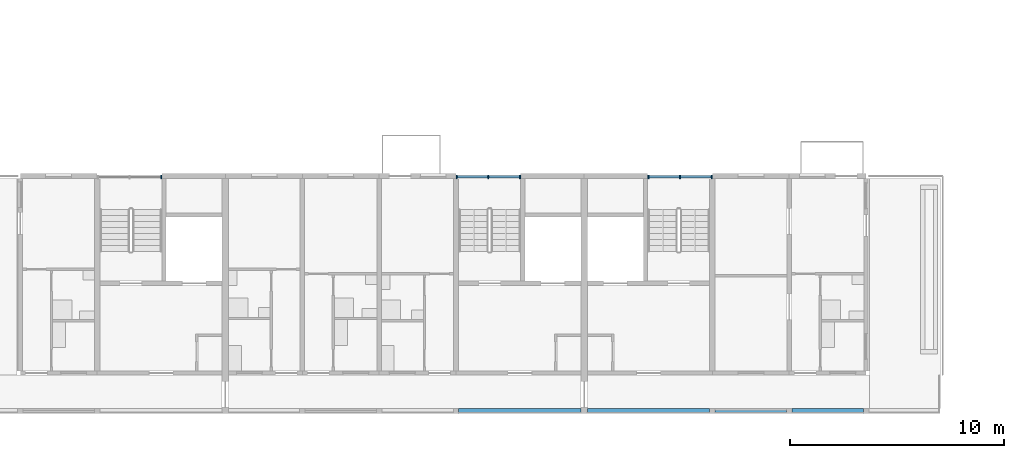
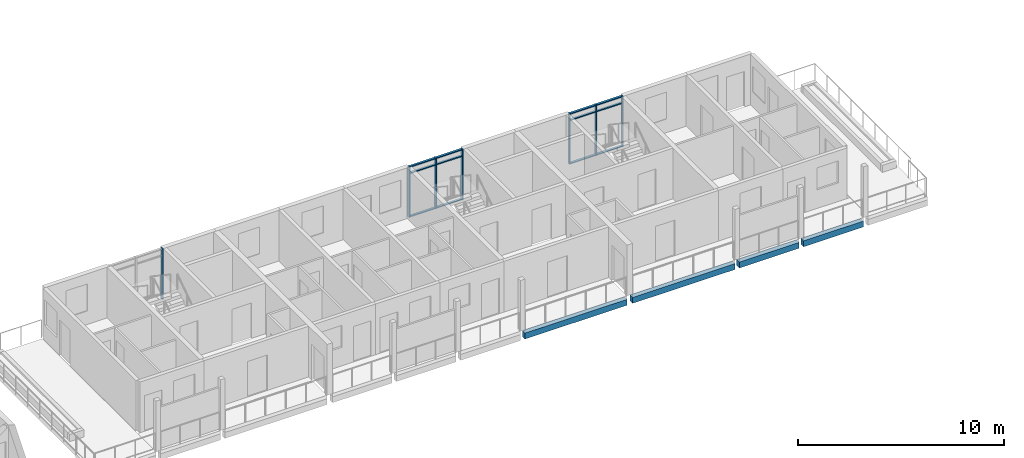
# One storey, part 7 of 64: 19 members, 4 beams, 3 elements without a shape of their own.
"""IFC4 building model written with IfcOpenShell, lengths in metres."""

from ifc_helpers import new_model, si_unit, direction, frame, origin, origin_2d, place, context, subcontext, project, spatial, rectangle, extrude, material, material_profile, profile_set, type_object, element, aggregate, save


model = new_model("IFC4")

# Units and contexts
model_context = context("Model", 3, precision=1e-05, world=origin(), true_north=direction((0.0, 1.0)))
body_context = subcontext(model_context, "Body", "Model", "MODEL_VIEW")
ifc_project = project(units=[si_unit("LENGTHUNIT", "METRE"), si_unit("AREAUNIT", "SQUARE_METRE"), si_unit("VOLUMEUNIT", "CUBIC_METRE"), si_unit("PLANEANGLEUNIT", "RADIAN"), si_unit("MASSUNIT", "GRAM", prefix="KILO")], contexts=[model_context])

# Site, building, storey
site_placement = place(None, origin())
site = spatial("IfcSite", under=ifc_project, at=site_placement, CompositionType="ELEMENT")
building_placement = place(site_placement, origin())
building = spatial("IfcBuilding", under=site, at=building_placement, Name="Ridgestep Commons", CompositionType="ELEMENT")
storey_placement = place(building_placement, frame((0.0, 0.0, 33.0)))
storey = spatial("IfcBuildingStorey", under=building, at=storey_placement, Name="L11", CompositionType="ELEMENT", Elevation=33.0)

# Beams
ifc_material_1 = material(Name="Precast concrete C40/50", Category="concrete")
ifc_material_profile_1 = material_profile(ifc_material_1, rectangle(XDim=0.25, YDim=0.35009765625, at=origin_2d()), Name="PC 250x350")
ifc_profile_set_1 = profile_set([ifc_material_profile_1], Name="Precast concrete C40/50")
beam_type = type_object("IfcBeamType", Name="Loggia edge beam 250 x 350", PredefinedType="SPANDREL", material=ifc_profile_set_1)
for number, where, z_axis, x_axis, name in (
    (1, (90.125, 11.875, -0.375), (1.0, 0.0, 0.0), (0.0, 1.0, 0.0), "Loggia edge beam A5C L11"),
    (2, (96.14990234375, 11.875, -0.375), (1.0, 0.0, 0.0), (0.0, 1.0, 0.0), "Loggia edge beam A6C L11"),
):
    element("IfcBeam", number, at=place(storey_placement, frame(where, z_axis=z_axis, x_axis=x_axis)), inside=storey, type_object=beam_type, Name=name, PredefinedType="SPANDREL", context=body_context, shape_type="SweptSolid", body=[
        extrude(rectangle(XDim=0.25, YDim=0.35009765625, at=origin_2d()), origin(), (0.0, 0.0, 1.0), 5.72509765625),
    ])
beam_1_placement = place(storey_placement, frame((102.125, 11.875, -0.375), z_axis=(1.0, 0.0, 0.0), x_axis=(0.0, 1.0, 0.0)))
element("IfcBeam", 3, at=beam_1_placement, inside=storey, type_object=beam_type, Name="Loggia edge beam A6T3 L11", PredefinedType="SPANDREL", context=body_context, shape_type="SweptSolid", body=[
    extrude(rectangle(XDim=0.25, YDim=0.35009765625, at=origin_2d()), origin(), (0.0, 0.0, 1.0), 3.35009765625),
])
beam_2_placement = place(storey_placement, frame((105.72509765625, 11.875, -0.375), z_axis=(1.0, 0.0, 0.0), x_axis=(0.0, 1.0, 0.0)))
element("IfcBeam", 4, at=beam_2_placement, inside=storey, type_object=beam_type, Name="Loggia edge beam A6T2 L11", PredefinedType="SPANDREL", context=body_context, shape_type="SweptSolid", body=[
    extrude(rectangle(XDim=0.25, YDim=0.35009765625, at=origin_2d()), origin(), (0.0, 0.0, 1.0), 3.349853515625),
])

# Curtain wall, member
ifc_material_2 = material(Name="Aluminium 6063-T6 and glass", Category="aluminium")
curtain_wall_type = type_object("IfcCurtainWallType", Name="Curtain wall stair strip", PredefinedType="NOTDEFINED", material=ifc_material_2)
curtain_wall_1_placement = place(storey_placement, origin())
curtain_wall_1 = element("IfcCurtainWall", 5, at=curtain_wall_1_placement, inside=storey, type_object=curtain_wall_type, Name="Curtain wall A4C level 11", PredefinedType="NOTDEFINED")
ifc_material_3 = material(Name="Aluminium 6063-T6", Category="aluminium")
ifc_material_profile_2 = material_profile(ifc_material_3, rectangle(XDim=0.159912109375, YDim=0.06005859375, at=origin_2d()), Name="Mullion 60 x 160")
ifc_profile_set_2 = profile_set([ifc_material_profile_2], Name="Aluminium 6063-T6")
member_type_1 = type_object("IfcMemberType", Name="Mullion 60 x 160", PredefinedType="MULLION", material=ifc_profile_set_2)
member_1_placement = place(storey_placement, frame((76.195068359375, 22.830078125, 0.0), z_axis=(0.0, 0.0, 1.0), x_axis=(0.0, 1.0, 0.0)))
member_1 = element("IfcMember", 6, at=member_1_placement, type_object=member_type_1, Name="CW1 mullion 3", PredefinedType="MULLION", context=body_context, shape_type="SweptSolid", body=[
    extrude(rectangle(XDim=0.159912109375, YDim=0.06005859375, at=origin_2d()), origin(), (0.0, 0.0, 1.0), 3.0),
])
aggregate(curtain_wall_1, [member_1])

# Curtain wall, members
curtain_wall_2_placement = place(storey_placement, origin())
curtain_wall_2 = element("IfcCurtainWall", 7, at=curtain_wall_2_placement, inside=storey, type_object=curtain_wall_type, Name="Curtain wall A5C level 11", PredefinedType="NOTDEFINED")
member_2_placement = place(storey_placement, frame((90.030029296875, 22.830078125, 0.0), z_axis=(0.0, 0.0, 1.0), x_axis=(0.0, 1.0, 0.0)))
member_2 = element("IfcMember", 8, at=member_2_placement, type_object=member_type_1, Name="CW1 mullion 1", PredefinedType="MULLION", context=body_context, shape_type="SweptSolid", body=[
    extrude(rectangle(XDim=0.159912109375, YDim=0.06005859375, at=origin_2d()), origin(), (0.0, 0.0, 1.0), 3.0),
])
member_3_placement = place(storey_placement, frame((91.512451171875, 22.830078125, 0.0), z_axis=(0.0, 0.0, 1.0), x_axis=(0.0, 1.0, 0.0)))
member_3 = element("IfcMember", 9, at=member_3_placement, type_object=member_type_1, Name="CW1 mullion 2", PredefinedType="MULLION", context=body_context, shape_type="SweptSolid", body=[
    extrude(rectangle(XDim=0.159912109375, YDim=0.06005859375, at=origin_2d()), origin(), (0.0, 0.0, 1.0), 3.0),
])
member_4_placement = place(storey_placement, frame((92.9951171875, 22.830078125, 0.0), z_axis=(0.0, 0.0, 1.0), x_axis=(0.0, 1.0, 0.0)))
member_4 = element("IfcMember", 10, at=member_4_placement, type_object=member_type_1, Name="CW1 mullion 3", PredefinedType="MULLION", context=body_context, shape_type="SweptSolid", body=[
    extrude(rectangle(XDim=0.159912109375, YDim=0.06005859375, at=origin_2d()), origin(), (0.0, 0.0, 1.0), 3.0),
])

curtain_wall_3_placement = place(storey_placement, origin())
curtain_wall_3 = element("IfcCurtainWall", 11, at=curtain_wall_3_placement, inside=storey, type_object=curtain_wall_type, Name="Curtain wall A6C level 11", PredefinedType="NOTDEFINED")
member_5_placement = place(storey_placement, frame((99.0048828125, 22.830078125, 0.0), z_axis=(0.0, 0.0, 1.0), x_axis=(0.0, 1.0, 0.0)))
member_5 = element("IfcMember", 12, at=member_5_placement, type_object=member_type_1, Name="CW1 mullion 1", PredefinedType="MULLION", context=body_context, shape_type="SweptSolid", body=[
    extrude(rectangle(XDim=0.159912109375, YDim=0.06005859375, at=origin_2d()), origin(), (0.0, 0.0, 1.0), 3.0),
])
member_6_placement = place(storey_placement, frame((100.487548828125, 22.830078125, 0.0), z_axis=(0.0, 0.0, 1.0), x_axis=(0.0, 1.0, 0.0)))
member_6 = element("IfcMember", 13, at=member_6_placement, type_object=member_type_1, Name="CW1 mullion 2", PredefinedType="MULLION", context=body_context, shape_type="SweptSolid", body=[
    extrude(rectangle(XDim=0.159912109375, YDim=0.06005859375, at=origin_2d()), origin(), (0.0, 0.0, 1.0), 3.0),
])
member_7_placement = place(storey_placement, frame((101.969970703125, 22.830078125, 0.0), z_axis=(0.0, 0.0, 1.0), x_axis=(0.0, 1.0, 0.0)))
member_7 = element("IfcMember", 14, at=member_7_placement, type_object=member_type_1, Name="CW1 mullion 3", PredefinedType="MULLION", context=body_context, shape_type="SweptSolid", body=[
    extrude(rectangle(XDim=0.159912109375, YDim=0.06005859375, at=origin_2d()), origin(), (0.0, 0.0, 1.0), 3.0),
])

# Member
ifc_material_4 = material(Name="Aluminium 6063-T6", Category="aluminium")
ifc_material_profile_3 = material_profile(ifc_material_4, rectangle(XDim=0.1201171875, YDim=0.06005859375, at=origin_2d()), Name="Transom 60 x 120")
ifc_profile_set_3 = profile_set([ifc_material_profile_3], Name="Aluminium 6063-T6")
member_type_2 = type_object("IfcMemberType", Name="Transom 60 x 120", PredefinedType="USERDEFINED", material=ifc_profile_set_3)
member_8_placement = place(storey_placement, frame((90.06005859375, 22.830078125, 0.030029296875), z_axis=(1.0, 0.0, 0.0), x_axis=(0.0, 1.0, 0.0)))
member_8 = element("IfcMember", 15, at=member_8_placement, type_object=member_type_2, Name="CW1 transom 1.1", ObjectType="TRANSOM", PredefinedType="USERDEFINED", context=body_context, shape_type="SweptSolid", body=[
    extrude(rectangle(XDim=0.1201171875, YDim=0.06005859375, at=origin_2d()), origin(), (0.0, 0.0, 1.0), 1.42236328125),
])

member_9_placement = place(storey_placement, frame((90.06005859375, 22.830078125, 2.590087890625), z_axis=(1.0, 0.0, 0.0), x_axis=(0.0, 1.0, 0.0)))
member_9 = element("IfcMember", 16, at=member_9_placement, type_object=member_type_2, Name="CW1 transom 1.2", ObjectType="TRANSOM", PredefinedType="USERDEFINED", context=body_context, shape_type="SweptSolid", body=[
    extrude(rectangle(XDim=0.1201171875, YDim=0.06005859375, at=origin_2d()), origin(), (0.0, 0.0, 1.0), 1.42236328125),
])

member_10_placement = place(storey_placement, frame((90.06005859375, 22.830078125, 2.969970703125), z_axis=(1.0, 0.0, 0.0), x_axis=(0.0, 1.0, 0.0)))
member_10 = element("IfcMember", 17, at=member_10_placement, type_object=member_type_2, Name="CW1 transom 1.3", ObjectType="TRANSOM", PredefinedType="USERDEFINED", context=body_context, shape_type="SweptSolid", body=[
    extrude(rectangle(XDim=0.1201171875, YDim=0.06005859375, at=origin_2d()), origin(), (0.0, 0.0, 1.0), 1.42236328125),
])

member_11_placement = place(storey_placement, frame((91.54248046875, 22.830078125, 0.030029296875), z_axis=(1.0, 0.0, 0.0), x_axis=(0.0, 1.0, 0.0)))
member_11 = element("IfcMember", 18, at=member_11_placement, type_object=member_type_2, Name="CW1 transom 2.1", ObjectType="TRANSOM", PredefinedType="USERDEFINED", context=body_context, shape_type="SweptSolid", body=[
    extrude(rectangle(XDim=0.1201171875, YDim=0.06005859375, at=origin_2d()), origin(), (0.0, 0.0, 1.0), 1.422607421875),
])

member_12_placement = place(storey_placement, frame((91.54248046875, 22.830078125, 2.590087890625), z_axis=(1.0, 0.0, 0.0), x_axis=(0.0, 1.0, 0.0)))
member_12 = element("IfcMember", 19, at=member_12_placement, type_object=member_type_2, Name="CW1 transom 2.2", ObjectType="TRANSOM", PredefinedType="USERDEFINED", context=body_context, shape_type="SweptSolid", body=[
    extrude(rectangle(XDim=0.1201171875, YDim=0.06005859375, at=origin_2d()), origin(), (0.0, 0.0, 1.0), 1.422607421875),
])

member_13_placement = place(storey_placement, frame((91.54248046875, 22.830078125, 2.969970703125), z_axis=(1.0, 0.0, 0.0), x_axis=(0.0, 1.0, 0.0)))
member_13 = element("IfcMember", 20, at=member_13_placement, type_object=member_type_2, Name="CW1 transom 2.3", ObjectType="TRANSOM", PredefinedType="USERDEFINED", context=body_context, shape_type="SweptSolid", body=[
    extrude(rectangle(XDim=0.1201171875, YDim=0.06005859375, at=origin_2d()), origin(), (0.0, 0.0, 1.0), 1.422607421875),
])

aggregate(curtain_wall_2, [member_2, member_3, member_4, member_8, member_9, member_10, member_11, member_12, member_13])

member_14_placement = place(storey_placement, frame((99.034912109375, 22.830078125, 0.030029296875), z_axis=(1.0, 0.0, 0.0), x_axis=(0.0, 1.0, 0.0)))
member_14 = element("IfcMember", 21, at=member_14_placement, type_object=member_type_2, Name="CW1 transom 1.1", ObjectType="TRANSOM", PredefinedType="USERDEFINED", context=body_context, shape_type="SweptSolid", body=[
    extrude(rectangle(XDim=0.1201171875, YDim=0.06005859375, at=origin_2d()), origin(), (0.0, 0.0, 1.0), 1.422607421875),
])

member_15_placement = place(storey_placement, frame((99.034912109375, 22.830078125, 2.590087890625), z_axis=(1.0, 0.0, 0.0), x_axis=(0.0, 1.0, 0.0)))
member_15 = element("IfcMember", 22, at=member_15_placement, type_object=member_type_2, Name="CW1 transom 1.2", ObjectType="TRANSOM", PredefinedType="USERDEFINED", context=body_context, shape_type="SweptSolid", body=[
    extrude(rectangle(XDim=0.1201171875, YDim=0.06005859375, at=origin_2d()), origin(), (0.0, 0.0, 1.0), 1.422607421875),
])

member_16_placement = place(storey_placement, frame((99.034912109375, 22.830078125, 2.969970703125), z_axis=(1.0, 0.0, 0.0), x_axis=(0.0, 1.0, 0.0)))
member_16 = element("IfcMember", 23, at=member_16_placement, type_object=member_type_2, Name="CW1 transom 1.3", ObjectType="TRANSOM", PredefinedType="USERDEFINED", context=body_context, shape_type="SweptSolid", body=[
    extrude(rectangle(XDim=0.1201171875, YDim=0.06005859375, at=origin_2d()), origin(), (0.0, 0.0, 1.0), 1.422607421875),
])

member_17_placement = place(storey_placement, frame((100.517578125, 22.830078125, 0.030029296875), z_axis=(1.0, 0.0, 0.0), x_axis=(0.0, 1.0, 0.0)))
member_17 = element("IfcMember", 24, at=member_17_placement, type_object=member_type_2, Name="CW1 transom 2.1", ObjectType="TRANSOM", PredefinedType="USERDEFINED", context=body_context, shape_type="SweptSolid", body=[
    extrude(rectangle(XDim=0.1201171875, YDim=0.06005859375, at=origin_2d()), origin(), (0.0, 0.0, 1.0), 1.42236328125),
])

member_18_placement = place(storey_placement, frame((100.517578125, 22.830078125, 2.590087890625), z_axis=(1.0, 0.0, 0.0), x_axis=(0.0, 1.0, 0.0)))
member_18 = element("IfcMember", 25, at=member_18_placement, type_object=member_type_2, Name="CW1 transom 2.2", ObjectType="TRANSOM", PredefinedType="USERDEFINED", context=body_context, shape_type="SweptSolid", body=[
    extrude(rectangle(XDim=0.1201171875, YDim=0.06005859375, at=origin_2d()), origin(), (0.0, 0.0, 1.0), 1.42236328125),
])

member_19_placement = place(storey_placement, frame((100.517578125, 22.830078125, 2.969970703125), z_axis=(1.0, 0.0, 0.0), x_axis=(0.0, 1.0, 0.0)))
member_19 = element("IfcMember", 26, at=member_19_placement, type_object=member_type_2, Name="CW1 transom 2.3", ObjectType="TRANSOM", PredefinedType="USERDEFINED", context=body_context, shape_type="SweptSolid", body=[
    extrude(rectangle(XDim=0.1201171875, YDim=0.06005859375, at=origin_2d()), origin(), (0.0, 0.0, 1.0), 1.42236328125),
])

aggregate(curtain_wall_3, [member_5, member_6, member_7, member_14, member_15, member_16, member_17, member_18, member_19])

save(model, "model.ifc")
